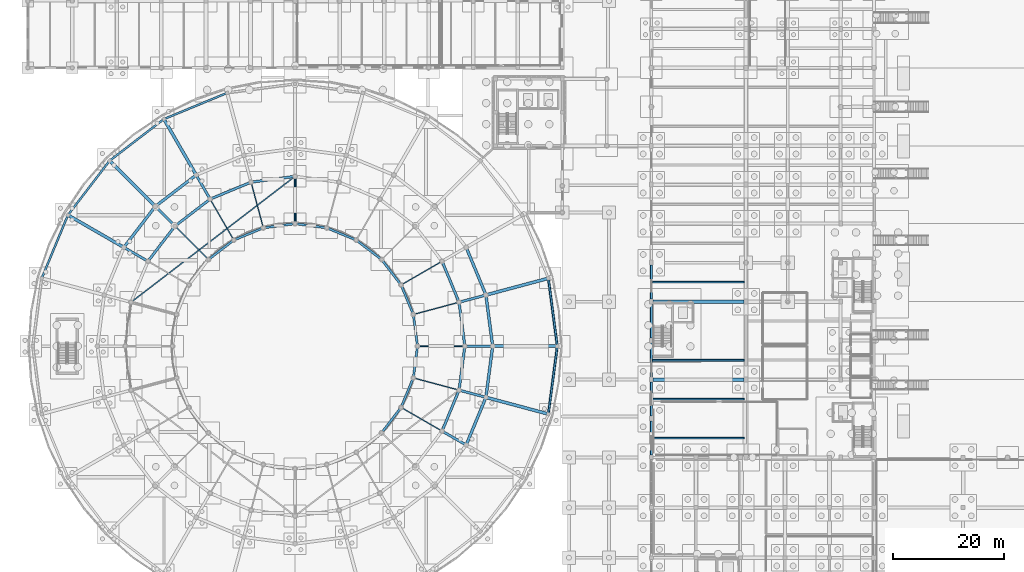
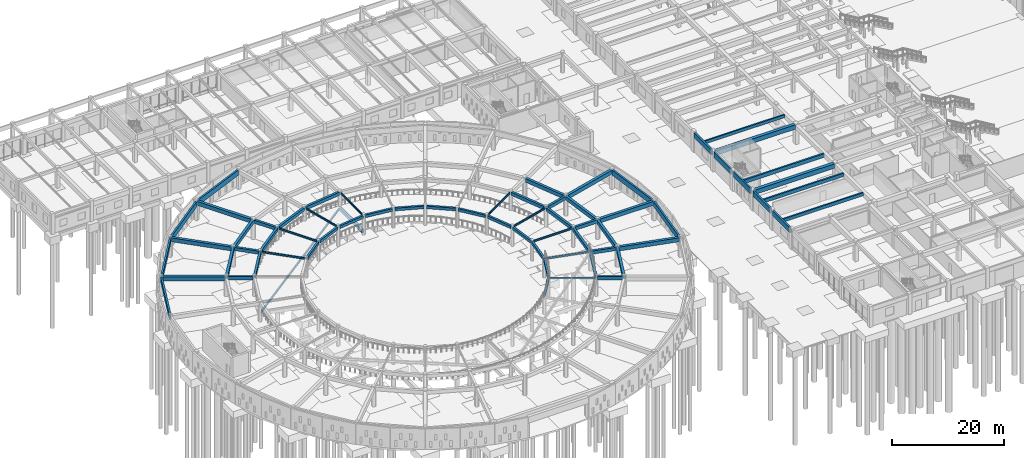
# One storey, part 26 of 84: 67 beams.
"""IFC4 building model written with IfcOpenShell, lengths in metres."""

from ifc_helpers import new_model, si_unit, direction, frame, origin, origin_2d, place, context, subcontext, project, spatial, rectangle, i_section, extrude, material, material_profile, profile_set, type_object, element, save


model = new_model("IFC4")

# Units and contexts
model_context = context("Model", 3, precision=1e-05, world=origin(), true_north=direction((0.0, 1.0)))
body_context = subcontext(model_context, "Body", "Model", "MODEL_VIEW")
ifc_project = project(units=[si_unit("LENGTHUNIT", "METRE"), si_unit("AREAUNIT", "SQUARE_METRE"), si_unit("VOLUMEUNIT", "CUBIC_METRE"), si_unit("PLANEANGLEUNIT", "RADIAN"), si_unit("MASSUNIT", "GRAM", prefix="KILO")], contexts=[model_context])

# Site, building, storey
site_placement = place(None, origin())
site = spatial("IfcSite", under=ifc_project, at=site_placement, CompositionType="ELEMENT")
building_placement = place(site_placement, origin())
building = spatial("IfcBuilding", under=site, at=building_placement, Name="Larkveld Mobility Hub", CompositionType="ELEMENT")
storey_placement = place(building_placement, origin())
storey = spatial("IfcBuildingStorey", under=building, at=storey_placement, Name="L00", CompositionType="ELEMENT", Elevation=0.0)

# Beams
ifc_material_1 = material(Name="Precast concrete C50/60", Category="concrete")
ifc_material_profile_1 = material_profile(ifc_material_1, rectangle(XDim=0.280029296875, YDim=0.64990234375, at=origin_2d()), Name="PC DT 280x650")
ifc_profile_set_1 = profile_set([ifc_material_profile_1], Name="Precast concrete C50/60")
beam_type_1 = type_object("IfcBeamType", Name="BM-DT2865", PredefinedType="T_BEAM", material=ifc_profile_set_1)
beam_1_placement = place(storey_placement, frame((112.169921875, 59.5, 3.945068359375), z_axis=(1.0, 0.0, 0.0), x_axis=(0.0, 1.0, 0.0)))
element("IfcBeam", 1, at=beam_1_placement, inside=storey, type_object=beam_type_1, Name="Precast Double-Tee Stem L00-1023", PredefinedType="T_BEAM", context=body_context, shape_type="SweptSolid", body=[
    extrude(rectangle(XDim=0.280029296875, YDim=0.64990234375, at=origin_2d()), origin(), (0.0, 0.0, 1.0), 16.510009765625),
])
ifc_material_profile_2 = material_profile(ifc_material_1, rectangle(XDim=0.300048828125, YDim=0.699951171875, at=origin_2d()), Name="PC DT 300x700")
ifc_profile_set_2 = profile_set([ifc_material_profile_2], Name="Precast concrete C50/60")
beam_type_2 = type_object("IfcBeamType", Name="BM-DT3070", PredefinedType="T_BEAM", material=ifc_profile_set_2)
beam_2_placement = place(storey_placement, frame((112.169921875, 31.5, 3.919921875), z_axis=(1.0, 0.0, 0.0), x_axis=(0.0, 1.0, 0.0)))
element("IfcBeam", 2, at=beam_2_placement, inside=storey, type_object=beam_type_2, Name="Precast Double-Tee Stem L00-1016", PredefinedType="T_BEAM", context=body_context, shape_type="SweptSolid", body=[
    extrude(rectangle(XDim=0.300048828125, YDim=0.699951171875, at=origin_2d()), origin(), (0.0, 0.0, 1.0), 16.510009765625),
])
ifc_material_profile_3 = material_profile(ifc_material_1, rectangle(XDim=0.320068359375, YDim=0.75, at=origin_2d()), Name="PC DT 320x750")
ifc_profile_set_3 = profile_set([ifc_material_profile_3], Name="Precast concrete C50/60")
beam_type_3 = type_object("IfcBeamType", Name="BM-DT3275", PredefinedType="T_BEAM", material=ifc_profile_set_3)
beam_3_placement = place(storey_placement, frame((112.169921875, 38.5, 3.89501953125), z_axis=(1.0, 0.0, 0.0), x_axis=(0.0, 1.0, 0.0)))
element("IfcBeam", 3, at=beam_3_placement, inside=storey, type_object=beam_type_3, Name="Precast Double-Tee Stem L00-1017", PredefinedType="T_BEAM", context=body_context, shape_type="SweptSolid", body=[
    extrude(rectangle(XDim=0.320068359375, YDim=0.75, at=origin_2d()), origin(), (0.0, 0.0, 1.0), 16.510009765625),
])
ifc_material_profile_4 = material_profile(ifc_material_1, rectangle(XDim=0.340087890625, YDim=0.800048828125, at=origin_2d()), Name="PC DT 340x800")
ifc_profile_set_4 = profile_set([ifc_material_profile_4], Name="Precast concrete C50/60")
beam_type_4 = type_object("IfcBeamType", Name="BM-DT3480", PredefinedType="T_BEAM", material=ifc_profile_set_4)
beam_4_placement = place(storey_placement, frame((112.169921875, 45.5, 3.8701171875), z_axis=(1.0, 0.0, 0.0), x_axis=(0.0, 1.0, 0.0)))
element("IfcBeam", 4, at=beam_4_placement, inside=storey, type_object=beam_type_4, Name="Precast Double-Tee Stem L00-1018", PredefinedType="T_BEAM", context=body_context, shape_type="SweptSolid", body=[
    extrude(rectangle(XDim=0.340087890625, YDim=0.800048828125, at=origin_2d()), origin(), (0.0, 0.0, 1.0), 16.510009765625),
])
ifc_material_profile_5 = material_profile(ifc_material_1, rectangle(XDim=0.64990234375, YDim=0.949951171875, at=origin_2d()), Name="PC ITB 650x950")
ifc_profile_set_5 = profile_set([ifc_material_profile_5], Name="Precast concrete C50/60")
beam_type_5 = type_object("IfcBeamType", Name="BM-ITB6595", PredefinedType="T_BEAM", material=ifc_profile_set_5)
for number, where, z_axis, x_axis, name in (
    (5, (112.324951171875, 42.0, 3.784912109375), (1.0, 0.0, 0.0), (0.0, 1.0, 0.0), "Primary E-W Girder L00-0021"),
    (6, (112.324951171875, 56.0, 3.784912109375), (1.0, 0.0, 0.0), (0.0, 1.0, 0.0), "Primary E-W Girder L00-0025"),
):
    element("IfcBeam", number, at=place(storey_placement, frame(where, z_axis=z_axis, x_axis=x_axis)), inside=storey, type_object=beam_type_5, Name=name, PredefinedType="T_BEAM", context=body_context, shape_type="SweptSolid", body=[
        extrude(rectangle(XDim=0.64990234375, YDim=0.949951171875, at=origin_2d()), origin(), (0.0, 0.0, 1.0), 16.35009765625),
    ])
ifc_material_2 = material(Name="Concrete C40/50", Category="concrete")
ifc_material_profile_6 = material_profile(ifc_material_2, rectangle(XDim=0.39990234375, YDim=0.60009765625, at=origin_2d()), Name="RC BM 400x600")
ifc_profile_set_6 = profile_set([ifc_material_profile_6], Name="Concrete C40/50")
beam_type_6 = type_object("IfcBeamType", Name="BM-RC4060", PredefinedType="BEAM", material=ifc_profile_set_6)
beam_5_placement = place(storey_placement, frame((69.968994140625, 48.238037109375, 3.93505859375), z_axis=(-0.130717291413, 0.991419683951, 0.0), x_axis=(-0.991419683951, -0.130717291413, 0.0)))
element("IfcBeam", 7, at=beam_5_placement, inside=storey, type_object=beam_type_6, Name="Drum Chord Ring Beam L00-1289", PredefinedType="BEAM", context=body_context, shape_type="SweptSolid", body=[
    extrude(rectangle(XDim=0.39990234375, YDim=0.60009765625, at=origin_2d()), origin(), (0.0, 0.0, 1.0), 5.26318359375),
])
beam_6_placement = place(storey_placement, frame((69.157958984375, 53.916015625, 3.93505859375), z_axis=(-0.382522527323, 0.923946165147, 0.0), x_axis=(-0.923946165147, -0.382522527323, 0.0)))
element("IfcBeam", 8, at=beam_6_placement, inside=storey, type_object=beam_type_6, Name="Drum Chord Ring Beam L00-1293", PredefinedType="BEAM", context=body_context, shape_type="SweptSolid", body=[
    extrude(rectangle(XDim=0.39990234375, YDim=0.60009765625, at=origin_2d()), origin(), (0.0, 0.0, 1.0), 5.26220703125),
])
for number, where, z_axis, x_axis, name in (
    (9, (66.906982421875, 59.18994140625, 3.93505859375), (-0.608845256975, 0.793289009793, 0.0), (-0.793289009793, -0.608845256975, 0.0), "Drum Chord Ring Beam L00-1297"),
    (10, (63.365966796875, 63.701904296875, 3.93505859375), (-0.793289009793, 0.608845256975, 0.0), (-0.608845256975, -0.793289009793, 0.0), "Drum Chord Ring Beam L00-1301"),
):
    element("IfcBeam", number, at=place(storey_placement, frame(where, z_axis=z_axis, x_axis=x_axis)), inside=storey, type_object=beam_type_6, Name=name, PredefinedType="BEAM", context=body_context, shape_type="SweptSolid", body=[
        extrude(rectangle(XDim=0.39990234375, YDim=0.60009765625, at=origin_2d()), origin(), (0.0, 0.0, 1.0), 5.26416015625),
    ])
beam_7_placement = place(storey_placement, frame((58.778076171875, 67.14501953125, 3.93505859375), z_axis=(-0.923946165147, 0.382522527323, 0.0), x_axis=(-0.382522527323, -0.923946165147, 0.0)))
element("IfcBeam", 11, at=beam_7_placement, inside=storey, type_object=beam_type_6, Name="Drum Chord Ring Beam L00-1305", PredefinedType="BEAM", context=body_context, shape_type="SweptSolid", body=[
    extrude(rectangle(XDim=0.39990234375, YDim=0.60009765625, at=origin_2d()), origin(), (0.0, 0.0, 1.0), 5.26220703125),
])
for number, where, z_axis, x_axis, name in (
    (12, (53.4560546875, 69.281005859375, 3.93505859375), (-0.991419683951, 0.130717291413, 0.0), (-0.130717291413, -0.991419683951, 0.0), "Drum Chord Ring Beam L00-1309"),
    (13, (47.761962890625, 69.968994140625, 3.93505859375), (-0.991419683951, -0.130717291413, 0.0), (0.130717291413, -0.991419683951, 0.0), "Drum Chord Ring Beam L00-1313"),
):
    element("IfcBeam", number, at=place(storey_placement, frame(where, z_axis=z_axis, x_axis=x_axis)), inside=storey, type_object=beam_type_6, Name=name, PredefinedType="BEAM", context=body_context, shape_type="SweptSolid", body=[
        extrude(rectangle(XDim=0.39990234375, YDim=0.60009765625, at=origin_2d()), origin(), (0.0, 0.0, 1.0), 5.26318359375),
    ])
beam_8_placement = place(storey_placement, frame((42.083984375, 69.157958984375, 3.93505859375), z_axis=(-0.923946165147, -0.382522527323, 0.0), x_axis=(0.382522527323, -0.923946165147, 0.0)))
element("IfcBeam", 14, at=beam_8_placement, inside=storey, type_object=beam_type_6, Name="Drum Chord Ring Beam L00-1317", PredefinedType="BEAM", context=body_context, shape_type="SweptSolid", body=[
    extrude(rectangle(XDim=0.39990234375, YDim=0.60009765625, at=origin_2d()), origin(), (0.0, 0.0, 1.0), 5.26220703125),
])
for number, where, z_axis, x_axis, name in (
    (15, (36.81005859375, 66.906982421875, 3.93505859375), (-0.793289009793, -0.608845256975, 0.0), (0.608845256975, -0.793289009793, 0.0), "Drum Chord Ring Beam L00-1321"),
    (16, (63.701904296875, 32.634033203125, 3.93505859375), (0.608845256975, 0.793289009793, 0.0), (-0.793289009793, 0.608845256975, 0.0), "Drum Chord Ring Beam L00-1372"),
):
    element("IfcBeam", number, at=place(storey_placement, frame(where, z_axis=z_axis, x_axis=x_axis)), inside=storey, type_object=beam_type_6, Name=name, PredefinedType="BEAM", context=body_context, shape_type="SweptSolid", body=[
        extrude(rectangle(XDim=0.39990234375, YDim=0.60009765625, at=origin_2d()), origin(), (0.0, 0.0, 1.0), 5.26416015625),
    ])
beam_9_placement = place(storey_placement, frame((67.14501953125, 37.221923828125, 3.93505859375), z_axis=(0.382522527323, 0.923946165147, 0.0), x_axis=(-0.923946165147, 0.382522527323, 0.0)))
element("IfcBeam", 17, at=beam_9_placement, inside=storey, type_object=beam_type_6, Name="Drum Chord Ring Beam L00-1376", PredefinedType="BEAM", context=body_context, shape_type="SweptSolid", body=[
    extrude(rectangle(XDim=0.39990234375, YDim=0.60009765625, at=origin_2d()), origin(), (0.0, 0.0, 1.0), 5.26220703125),
])
beam_10_placement = place(storey_placement, frame((69.281005859375, 42.5439453125, 3.93505859375), z_axis=(0.130717291413, 0.991419683951, 0.0), x_axis=(-0.991419683951, 0.130717291413, 0.0)))
element("IfcBeam", 18, at=beam_10_placement, inside=storey, type_object=beam_type_6, Name="Drum Chord Ring Beam L00-1380", PredefinedType="BEAM", context=body_context, shape_type="SweptSolid", body=[
    extrude(rectangle(XDim=0.39990234375, YDim=0.60009765625, at=origin_2d()), origin(), (0.0, 0.0, 1.0), 5.26318359375),
])
ifc_material_profile_7 = material_profile(ifc_material_2, rectangle(XDim=0.449951171875, YDim=0.699951171875, at=origin_2d()), Name="RC BM 450x700")
ifc_profile_set_7 = profile_set([ifc_material_profile_7], Name="Concrete C40/50")
beam_type_7 = type_object("IfcBeamType", Name="BM-RC4570", PredefinedType="BEAM", material=ifc_profile_set_7)
beam_11_placement = place(storey_placement, frame((78.739990234375, 48.0, 3.885009765625), z_axis=(1.0, 0.0, 0.0), x_axis=(0.0, 1.0, 0.0)))
element("IfcBeam", 19, at=beam_11_placement, inside=storey, type_object=beam_type_7, Name="Drum Radial Girder L00-1220", PredefinedType="BEAM", context=body_context, shape_type="SweptSolid", body=[
    extrude(rectangle(XDim=0.449951171875, YDim=0.699951171875, at=origin_2d()), origin(), (0.0, 0.0, 1.0), 4.52001953125),
])
beam_12_placement = place(storey_placement, frame((77.693115234375, 55.9560546875, 3.885009765625), z_axis=(0.96590777444, 0.258886406125, 0.0), x_axis=(-0.258886406125, 0.96590777444, 0.0)))
element("IfcBeam", 20, at=beam_12_placement, inside=storey, type_object=beam_type_7, Name="Drum Radial Girder L00-1223", PredefinedType="BEAM", context=body_context, shape_type="SweptSolid", body=[
    extrude(rectangle(XDim=0.449951171875, YDim=0.699951171875, at=origin_2d()), origin(), (0.0, 0.0, 1.0), 4.51904296875),
])
beam_13_placement = place(storey_placement, frame((32.6298828125, 74.6220703125, 3.885009765625), z_axis=(-0.50002017008, 0.86601375827, 0.0), x_axis=(-0.86601375827, -0.50002017008, 0.0)))
element("IfcBeam", 21, at=beam_13_placement, inside=storey, type_object=beam_type_7, Name="Drum Radial Girder L00-1244", PredefinedType="BEAM", context=body_context, shape_type="SweptSolid", body=[
    extrude(rectangle(XDim=0.449951171875, YDim=0.699951171875, at=origin_2d()), origin(), (0.0, 0.0, 1.0), 4.519287109375),
])
beam_14_placement = place(storey_placement, frame((26.262939453125, 69.737060546875, 3.885009765625), z_axis=(-0.707106781187, 0.707106781187, 0.0), x_axis=(-0.707106781187, -0.707106781187, 0.0)))
element("IfcBeam", 22, at=beam_14_placement, inside=storey, type_object=beam_type_7, Name="Drum Radial Girder L00-1247", PredefinedType="BEAM", context=body_context, shape_type="SweptSolid", body=[
    extrude(rectangle(XDim=0.449951171875, YDim=0.699951171875, at=origin_2d()), origin(), (0.0, 0.0, 1.0), 4.51806640625),
])
for number, where, z_axis, x_axis, name in (
    (23, (21.3779296875, 63.3701171875, 3.885009765625), (-0.86601375827, 0.50002017008, 0.0), (-0.50002017008, -0.86601375827, 0.0), "Drum Radial Girder L00-1250"),
    (24, (74.6220703125, 32.6298828125, 3.885009765625), (0.86601375827, -0.50002017008, 0.0), (0.50002017008, 0.86601375827, 0.0), "Drum Radial Girder L00-1284"),
):
    element("IfcBeam", number, at=place(storey_placement, frame(where, z_axis=z_axis, x_axis=x_axis)), inside=storey, type_object=beam_type_7, Name=name, PredefinedType="BEAM", context=body_context, shape_type="SweptSolid", body=[
        extrude(rectangle(XDim=0.449951171875, YDim=0.699951171875, at=origin_2d()), origin(), (0.0, 0.0, 1.0), 4.519287109375),
    ])
beam_15_placement = place(storey_placement, frame((77.693115234375, 40.0439453125, 3.885009765625), z_axis=(0.96590777444, -0.258886406125, 0.0), x_axis=(0.258886406125, 0.96590777444, 0.0)))
element("IfcBeam", 25, at=beam_15_placement, inside=storey, type_object=beam_type_7, Name="Drum Radial Girder L00-1287", PredefinedType="BEAM", context=body_context, shape_type="SweptSolid", body=[
    extrude(rectangle(XDim=0.449951171875, YDim=0.699951171875, at=origin_2d()), origin(), (0.0, 0.0, 1.0), 4.51904296875),
])
beam_16_placement = place(storey_placement, frame((78.468994140625, 48.238037109375, 3.885009765625), z_axis=(-0.1305861874, 0.991436961012, 0.0), x_axis=(-0.991436961012, -0.1305861874, 0.0)))
element("IfcBeam", 26, at=beam_16_placement, inside=storey, type_object=beam_type_7, Name="Drum Chord Ring Beam L00-1290", PredefinedType="BEAM", context=body_context, shape_type="SweptSolid", body=[
    extrude(rectangle(XDim=0.449951171875, YDim=0.699951171875, at=origin_2d()), origin(), (0.0, 0.0, 1.0), 7.48193359375),
])
beam_17_placement = place(storey_placement, frame((77.368896484375, 56.115966796875, 3.885009765625), z_axis=(-0.382649607255, 0.923893542605, 0.0), x_axis=(-0.923893542605, -0.382649607255, 0.0)))
element("IfcBeam", 27, at=beam_17_placement, inside=storey, type_object=beam_type_7, Name="Drum Chord Ring Beam L00-1294", PredefinedType="BEAM", context=body_context, shape_type="SweptSolid", body=[
    extrude(rectangle(XDim=0.449951171875, YDim=0.699951171875, at=origin_2d()), origin(), (0.0, 0.0, 1.0), 7.4814453125),
])
beam_18_placement = place(storey_placement, frame((47.761962890625, 78.468994140625, 3.885009765625), z_axis=(-0.991436961012, -0.1305861874, 0.0), x_axis=(0.1305861874, -0.991436961012, 0.0)))
element("IfcBeam", 28, at=beam_18_placement, inside=storey, type_object=beam_type_7, Name="Drum Chord Ring Beam L00-1314", PredefinedType="BEAM", context=body_context, shape_type="SweptSolid", body=[
    extrude(rectangle(XDim=0.449951171875, YDim=0.699951171875, at=origin_2d()), origin(), (0.0, 0.0, 1.0), 7.48193359375),
])
beam_19_placement = place(storey_placement, frame((39.884033203125, 77.368896484375, 3.885009765625), z_axis=(-0.923893542605, -0.382649607255, 0.0), x_axis=(0.382649607255, -0.923893542605, 0.0)))
element("IfcBeam", 29, at=beam_19_placement, inside=storey, type_object=beam_type_7, Name="Drum Chord Ring Beam L00-1318", PredefinedType="BEAM", context=body_context, shape_type="SweptSolid", body=[
    extrude(rectangle(XDim=0.449951171875, YDim=0.699951171875, at=origin_2d()), origin(), (0.0, 0.0, 1.0), 7.4814453125),
])
for number, where, z_axis, x_axis, name in (
    (30, (32.56005859375, 74.26806640625, 3.885009765625), (-0.793382610721, -0.608723281143, 0.0), (0.608723281143, -0.793382610721, 0.0), "Drum Chord Ring Beam L00-1322"),
    (31, (26.287109375, 69.376953125, 3.885009765625), (-0.608723281143, -0.793382610721, 0.0), (0.793382610721, -0.608723281143, 0.0), "Drum Chord Ring Beam L00-1326"),
):
    element("IfcBeam", number, at=place(storey_placement, frame(where, z_axis=z_axis, x_axis=x_axis)), inside=storey, type_object=beam_type_7, Name=name, PredefinedType="BEAM", context=body_context, shape_type="SweptSolid", body=[
        extrude(rectangle(XDim=0.449951171875, YDim=0.699951171875, at=origin_2d()), origin(), (0.0, 0.0, 1.0), 7.483154296875),
    ])
beam_20_placement = place(storey_placement, frame((74.506103515625, 32.971923828125, 3.885009765625), z_axis=(0.382649607255, 0.923893542605, 0.0), x_axis=(-0.923893542605, 0.382649607255, 0.0)))
element("IfcBeam", 32, at=beam_20_placement, inside=storey, type_object=beam_type_7, Name="Drum Chord Ring Beam L00-1377", PredefinedType="BEAM", context=body_context, shape_type="SweptSolid", body=[
    extrude(rectangle(XDim=0.449951171875, YDim=0.699951171875, at=origin_2d()), origin(), (0.0, 0.0, 1.0), 7.4814453125),
])
beam_21_placement = place(storey_placement, frame((77.491943359375, 40.343994140625, 3.885009765625), z_axis=(0.1305861874, 0.991436961012, 0.0), x_axis=(-0.991436961012, 0.1305861874, 0.0)))
element("IfcBeam", 33, at=beam_21_placement, inside=storey, type_object=beam_type_7, Name="Drum Chord Ring Beam L00-1381", PredefinedType="BEAM", context=body_context, shape_type="SweptSolid", body=[
    extrude(rectangle(XDim=0.449951171875, YDim=0.699951171875, at=origin_2d()), origin(), (0.0, 0.0, 1.0), 7.48193359375),
])
beam_22_placement = place(storey_placement, frame((48.0, 70.280029296875, 0.530029296875), z_axis=(0.0, 1.0, 0.0), x_axis=(-1.0, 0.0, 0.0)))
element("IfcBeam", 34, at=beam_22_placement, inside=storey, type_object=beam_type_7, Name="Helical Ramp Radial Support Girder L00-1750", PredefinedType="BEAM", context=body_context, shape_type="SweptSolid", body=[
    extrude(rectangle(XDim=0.449951171875, YDim=0.699951171875, at=origin_2d()), origin(), (0.0, 0.0, 1.0), 7.93994140625),
])
ifc_material_profile_8 = material_profile(ifc_material_2, rectangle(XDim=0.5, YDim=0.800048828125, at=origin_2d()), Name="RC BM 500x800")
ifc_profile_set_8 = profile_set([ifc_material_profile_8], Name="Concrete C40/50")
beam_type_8 = type_object("IfcBeamType", Name="BM-RC5080", PredefinedType="BEAM", material=ifc_profile_set_8)
beam_23_placement = place(storey_placement, frame((83.468994140625, 48.238037109375, 3.8349609375), z_axis=(-0.130638498674, 0.991430069478, 0.0), x_axis=(-0.991430069478, -0.130638498674, 0.0)))
element("IfcBeam", 35, at=beam_23_placement, inside=storey, type_object=beam_type_8, Name="Drum Chord Ring Beam L00-1291", PredefinedType="BEAM", context=body_context, shape_type="SweptSolid", body=[
    extrude(rectangle(XDim=0.5, YDim=0.800048828125, at=origin_2d()), origin(), (0.0, 0.0, 1.0), 8.787109375),
])
beam_24_placement = place(storey_placement, frame((82.197998046875, 57.409912109375, 3.8349609375), z_axis=(-0.382625816799, 0.923903395556, 0.0), x_axis=(-0.923903395556, -0.382625816799, 0.0)))
element("IfcBeam", 36, at=beam_24_placement, inside=storey, type_object=beam_type_8, Name="Drum Chord Ring Beam L00-1295", PredefinedType="BEAM", context=body_context, shape_type="SweptSolid", body=[
    extrude(rectangle(XDim=0.5, YDim=0.800048828125, at=origin_2d()), origin(), (0.0, 0.0, 1.0), 8.786865234375),
])
for number, where, z_axis, x_axis, name in (
    (37, (30.06005859375, 78.597900390625, 3.8349609375), (-0.793357689021, -0.608755761591, 0.0), (0.608755761591, -0.793357689021, 0.0), "Drum Chord Ring Beam L00-1323"),
    (38, (22.751953125, 72.912109375, 3.8349609375), (-0.608755761591, -0.793357689021, 0.0), (0.793357689021, -0.608755761591, 0.0), "Drum Chord Ring Beam L00-1327"),
):
    element("IfcBeam", number, at=place(storey_placement, frame(where, z_axis=z_axis, x_axis=x_axis)), inside=storey, type_object=beam_type_8, Name=name, PredefinedType="BEAM", context=body_context, shape_type="SweptSolid", body=[
        extrude(rectangle(XDim=0.5, YDim=0.800048828125, at=origin_2d()), origin(), (0.0, 0.0, 1.0), 8.7880859375),
    ])
beam_25_placement = place(storey_placement, frame((78.8359375, 30.471923828125, 3.8349609375), z_axis=(0.382625816799, 0.923903395556, 0.0), x_axis=(-0.923903395556, 0.382625816799, 0.0)))
element("IfcBeam", 39, at=beam_25_placement, inside=storey, type_object=beam_type_8, Name="Drum Chord Ring Beam L00-1378", PredefinedType="BEAM", context=body_context, shape_type="SweptSolid", body=[
    extrude(rectangle(XDim=0.5, YDim=0.800048828125, at=origin_2d()), origin(), (0.0, 0.0, 1.0), 8.786865234375),
])
beam_26_placement = place(storey_placement, frame((82.321044921875, 39.050048828125, 3.8349609375), z_axis=(0.130638498674, 0.991430069478, 0.0), x_axis=(-0.991430069478, 0.130638498674, 0.0)))
element("IfcBeam", 40, at=beam_26_placement, inside=storey, type_object=beam_type_8, Name="Drum Chord Ring Beam L00-1382", PredefinedType="BEAM", context=body_context, shape_type="SweptSolid", body=[
    extrude(rectangle(XDim=0.5, YDim=0.800048828125, at=origin_2d()), origin(), (0.0, 0.0, 1.0), 8.787109375),
])
ifc_material_profile_9 = material_profile(ifc_material_2, rectangle(XDim=0.550048828125, YDim=0.85009765625, at=origin_2d()), Name="RC BM 550x850")
ifc_profile_set_9 = profile_set([ifc_material_profile_9], Name="Concrete C40/50")
beam_type_9 = type_object("IfcBeamType", Name="BM-RC5585", PredefinedType="BEAM", material=ifc_profile_set_9)
beam_27_placement = place(storey_placement, frame((83.739990234375, 48.0, 3.81005859375), z_axis=(1.0, 0.0, 0.0), x_axis=(0.0, 1.0, 0.0)))
element("IfcBeam", 41, at=beam_27_placement, inside=storey, type_object=beam_type_9, Name="Drum Radial Girder L00-1221", PredefinedType="BEAM", context=body_context, shape_type="SweptSolid", body=[
    extrude(rectangle(XDim=0.550048828125, YDim=0.85009765625, at=origin_2d()), origin(), (0.0, 0.0, 1.0), 11.1201171875),
])
for number, where, z_axis, x_axis, name in (
    (42, (82.52197265625, 57.25, 3.81005859375), (0.965928157481, 0.258810344821, 0.0), (-0.258810344821, 0.965928157481, 0.0), "Drum Radial Girder L00-1224"),
    (43, (30.1298828125, 78.951904296875, 3.81005859375), (-0.499990426839, 0.866030930781, 0.0), (-0.866030930781, -0.499990426839, 0.0), "Drum Radial Girder L00-1245"),
):
    element("IfcBeam", number, at=place(storey_placement, frame(where, z_axis=z_axis, x_axis=x_axis)), inside=storey, type_object=beam_type_9, Name=name, PredefinedType="BEAM", context=body_context, shape_type="SweptSolid", body=[
        extrude(rectangle(XDim=0.550048828125, YDim=0.85009765625, at=origin_2d()), origin(), (0.0, 0.0, 1.0), 11.119873046875),
    ])
beam_28_placement = place(storey_placement, frame((22.72802734375, 73.27197265625, 3.81005859375), z_axis=(-0.707106781187, 0.707106781187, 0.0), x_axis=(-0.707106781187, -0.707106781187, 0.0)))
element("IfcBeam", 44, at=beam_28_placement, inside=storey, type_object=beam_type_9, Name="Drum Radial Girder L00-1248", PredefinedType="BEAM", context=body_context, shape_type="SweptSolid", body=[
    extrude(rectangle(XDim=0.550048828125, YDim=0.85009765625, at=origin_2d()), origin(), (0.0, 0.0, 1.0), 11.1201171875),
])
for number, where, z_axis, x_axis, name in (
    (45, (17.048095703125, 65.8701171875, 3.81005859375), (-0.866030930781, 0.499990426839, 0.0), (-0.499990426839, -0.866030930781, 0.0), "Drum Radial Girder L00-1251"),
    (46, (82.52197265625, 38.75, 3.81005859375), (0.965928157481, -0.258810344821, 0.0), (0.258810344821, 0.965928157481, 0.0), "Drum Radial Girder L00-1288"),
):
    element("IfcBeam", number, at=place(storey_placement, frame(where, z_axis=z_axis, x_axis=x_axis)), inside=storey, type_object=beam_type_9, Name=name, PredefinedType="BEAM", context=body_context, shape_type="SweptSolid", body=[
        extrude(rectangle(XDim=0.550048828125, YDim=0.85009765625, at=origin_2d()), origin(), (0.0, 0.0, 1.0), 11.119873046875),
    ])
ifc_material_profile_10 = material_profile(ifc_material_1, rectangle(XDim=0.35009765625, YDim=1.14990234375, at=origin_2d()), Name="PC SP 350x1150")
ifc_profile_set_10 = profile_set([ifc_material_profile_10], Name="Precast concrete C50/60")
beam_type_10 = type_object("IfcBeamType", Name="BM-SP35115", PredefinedType="SPANDREL", material=ifc_profile_set_10)
for number, where, z_axis, x_axis, name in (
    (47, (112.0, 28.449951171875, 3.68505859375), (0.0, 1.0, 0.0), (-1.0, 0.0, 0.0), "Primary N-S Girder L00-0161"),
    (48, (112.0, 35.449951171875, 3.68505859375), (0.0, 1.0, 0.0), (-1.0, 0.0, 0.0), "Primary N-S Girder L00-0162"),
    (49, (112.0, 42.449951171875, 3.68505859375), (0.0, 1.0, 0.0), (-1.0, 0.0, 0.0), "Primary N-S Girder L00-0163"),
    (50, (112.0, 49.449951171875, 3.68505859375), (0.0, 1.0, 0.0), (-1.0, 0.0, 0.0), "Primary N-S Girder L00-0164"),
    (51, (112.0, 56.449951171875, 3.68505859375), (0.0, 1.0, 0.0), (-1.0, 0.0, 0.0), "Primary N-S Girder L00-0165"),
):
    element("IfcBeam", number, at=place(storey_placement, frame(where, z_axis=z_axis, x_axis=x_axis)), inside=storey, type_object=beam_type_10, Name=name, PredefinedType="SPANDREL", context=body_context, shape_type="SweptSolid", body=[
        extrude(rectangle(XDim=0.35009765625, YDim=1.14990234375, at=origin_2d()), origin(), (0.0, 0.0, 1.0), 6.10009765625),
    ])
beam_29_placement = place(storey_placement, frame((95.069091796875, 48.238037109375, 3.659912109375), z_axis=(-0.130613798255, 0.991433323883, 0.0), x_axis=(-0.991433323883, -0.130613798255, 0.0)))
element("IfcBeam", 52, at=beam_29_placement, inside=storey, type_object=beam_type_10, Name="Drum Chord Ring Beam L00-1292", PredefinedType="SPANDREL", context=body_context, shape_type="SweptSolid", body=[
    extrude(rectangle(XDim=0.35009765625, YDim=1.14990234375, at=origin_2d()), origin(), (0.0, 0.0, 1.0), 11.815185546875),
])
beam_30_placement = place(storey_placement, frame((35.587890625, 93.403076171875, 3.659912109375), z_axis=(-0.923893431655, -0.38264987514, 0.0), x_axis=(0.38264987514, -0.923893431655, 0.0)))
element("IfcBeam", 53, at=beam_30_placement, inside=storey, type_object=beam_type_10, Name="Drum Chord Ring Beam L00-1320", PredefinedType="SPANDREL", context=body_context, shape_type="SweptSolid", body=[
    extrude(rectangle(XDim=0.35009765625, YDim=1.14990234375, at=origin_2d()), origin(), (0.0, 0.0, 1.0), 11.81494140625),
])
for number, where, z_axis, x_axis, name in (
    (54, (24.260009765625, 88.64404296875, 3.659912109375), (-0.79337685225, -0.608730786402, 0.0), (0.608730786402, -0.79337685225, 0.0), "Drum Chord Ring Beam L00-1324"),
    (55, (14.549072265625, 81.114990234375, 3.659912109375), (-0.608730786402, -0.79337685225, 0.0), (0.79337685225, -0.608730786402, 0.0), "Drum Chord Ring Beam L00-1328"),
):
    element("IfcBeam", number, at=place(storey_placement, frame(where, z_axis=z_axis, x_axis=x_axis)), inside=storey, type_object=beam_type_10, Name=name, PredefinedType="SPANDREL", context=body_context, shape_type="SweptSolid", body=[
        extrude(rectangle(XDim=0.35009765625, YDim=1.14990234375, at=origin_2d()), origin(), (0.0, 0.0, 1.0), 11.816650390625),
    ])
beam_31_placement = place(storey_placement, frame((7.117919921875, 71.327880859375, 3.659912109375), z_axis=(-0.38264987514, -0.923893431655, 0.0), x_axis=(0.923893431655, -0.38264987514, 0.0)))
element("IfcBeam", 56, at=beam_31_placement, inside=storey, type_object=beam_type_10, Name="Drum Chord Ring Beam L00-1332", PredefinedType="SPANDREL", context=body_context, shape_type="SweptSolid", body=[
    extrude(rectangle(XDim=0.35009765625, YDim=1.14990234375, at=origin_2d()), origin(), (0.0, 0.0, 1.0), 11.81494140625),
])
beam_32_placement = place(storey_placement, frame((93.52587890625, 36.048095703125, 3.659912109375), z_axis=(0.130613798255, 0.991433323883, 0.0), x_axis=(-0.991433323883, 0.130613798255, 0.0)))
element("IfcBeam", 57, at=beam_32_placement, inside=storey, type_object=beam_type_10, Name="Drum Chord Ring Beam L00-1383", PredefinedType="SPANDREL", context=body_context, shape_type="SweptSolid", body=[
    extrude(rectangle(XDim=0.35009765625, YDim=1.14990234375, at=origin_2d()), origin(), (0.0, 0.0, 1.0), 11.815185546875),
])
ifc_material_3 = material(Name="Steel S355JR", Category="steel")
ifc_material_profile_11 = material_profile(ifc_material_3, i_section(OverallWidth=0.179931640625, OverallDepth=0.39990234375, WebThickness=0.008544921875, FlangeThickness=0.013427734375, FilletRadius=0.02099609375, at=origin_2d()), Name="IPE 400")
ifc_profile_set_11 = profile_set([ifc_material_profile_11], Name="Steel S355JR")
beam_type_11 = type_object("IfcBeamType", Name="BM-STIPE400", PredefinedType="BEAM", material=ifc_profile_set_11)
beam_33_placement = place(storey_placement, frame((70.239990234375, 48.0, 4.034912109375), z_axis=(1.0, 0.0, 0.0), x_axis=(0.0, 1.0, 0.0)))
element("IfcBeam", 58, at=beam_33_placement, inside=storey, type_object=beam_type_11, Name="Drum Radial Girder L00-1219", PredefinedType="BEAM", context=body_context, shape_type="SweptSolid", body=[
    extrude(i_section(OverallWidth=0.179931640625, OverallDepth=0.39990234375, WebThickness=0.008544921875, FlangeThickness=0.013427734375, FilletRadius=0.02099609375, at=origin_2d()), origin(), (0.0, 0.0, 1.0), 8.02001953125),
])
beam_34_placement = place(storey_placement, frame((69.48193359375, 53.756103515625, 4.034912109375), z_axis=(0.96592250653, 0.258831434294, 0.0), x_axis=(-0.258831434294, 0.96592250653, 0.0)))
element("IfcBeam", 59, at=beam_34_placement, inside=storey, type_object=beam_type_11, Name="Drum Radial Girder L00-1222", PredefinedType="BEAM", context=body_context, shape_type="SweptSolid", body=[
    extrude(i_section(OverallWidth=0.179931640625, OverallDepth=0.39990234375, WebThickness=0.008544921875, FlangeThickness=0.013427734375, FilletRadius=0.02099609375, at=origin_2d()), origin(), (0.0, 0.0, 1.0), 8.020263671875),
])
beam_35_placement = place(storey_placement, frame((67.260986328125, 59.1201171875, 4.034912109375), z_axis=(0.86602386286, 0.50000266895, 0.0), x_axis=(-0.50000266895, 0.86602386286, 0.0)))
element("IfcBeam", 60, at=beam_35_placement, inside=storey, type_object=beam_type_11, Name="Drum Radial Girder L00-1225", PredefinedType="BEAM", context=body_context, shape_type="SweptSolid", body=[
    extrude(i_section(OverallWidth=0.179931640625, OverallDepth=0.39990234375, WebThickness=0.008544921875, FlangeThickness=0.013427734375, FilletRadius=0.02099609375, at=origin_2d()), origin(), (0.0, 0.0, 1.0), 8.01953125),
])
beam_36_placement = place(storey_placement, frame((48.0, 70.239990234375, 4.034912109375), z_axis=(0.0, 1.0, 0.0), x_axis=(-1.0, 0.0, 0.0)))
element("IfcBeam", 61, at=beam_36_placement, inside=storey, type_object=beam_type_11, Name="Drum Radial Girder L00-1237", PredefinedType="BEAM", context=body_context, shape_type="SweptSolid", body=[
    extrude(i_section(OverallWidth=0.179931640625, OverallDepth=0.39990234375, WebThickness=0.008544921875, FlangeThickness=0.013427734375, FilletRadius=0.02099609375, at=origin_2d()), origin(), (0.0, 0.0, 1.0), 8.02001953125),
])
beam_37_placement = place(storey_placement, frame((42.243896484375, 69.48193359375, 4.034912109375), z_axis=(-0.258831434294, 0.96592250653, 0.0), x_axis=(-0.96592250653, -0.258831434294, 0.0)))
element("IfcBeam", 62, at=beam_37_placement, inside=storey, type_object=beam_type_11, Name="Drum Radial Girder L00-1240", PredefinedType="BEAM", context=body_context, shape_type="SweptSolid", body=[
    extrude(i_section(OverallWidth=0.179931640625, OverallDepth=0.39990234375, WebThickness=0.008544921875, FlangeThickness=0.013427734375, FilletRadius=0.02099609375, at=origin_2d()), origin(), (0.0, 0.0, 1.0), 8.020263671875),
])
beam_38_placement = place(storey_placement, frame((36.8798828125, 67.260986328125, 4.034912109375), z_axis=(-0.50000266895, 0.86602386286, 0.0), x_axis=(-0.86602386286, -0.50000266895, 0.0)))
element("IfcBeam", 63, at=beam_38_placement, inside=storey, type_object=beam_type_11, Name="Drum Radial Girder L00-1243", PredefinedType="BEAM", context=body_context, shape_type="SweptSolid", body=[
    extrude(i_section(OverallWidth=0.179931640625, OverallDepth=0.39990234375, WebThickness=0.008544921875, FlangeThickness=0.013427734375, FilletRadius=0.02099609375, at=origin_2d()), origin(), (0.0, 0.0, 1.0), 8.01953125),
])
beam_39_placement = place(storey_placement, frame((32.27392578125, 63.72607421875, 4.034912109375), z_axis=(-0.707106781187, 0.707106781187, 0.0), x_axis=(-0.707106781187, -0.707106781187, 0.0)))
element("IfcBeam", 64, at=beam_39_placement, inside=storey, type_object=beam_type_11, Name="Drum Radial Girder L00-1246", PredefinedType="BEAM", context=body_context, shape_type="SweptSolid", body=[
    extrude(i_section(OverallWidth=0.179931640625, OverallDepth=0.39990234375, WebThickness=0.008544921875, FlangeThickness=0.013427734375, FilletRadius=0.02099609375, at=origin_2d()), origin(), (0.0, 0.0, 1.0), 8.019775390625),
])
beam_40_placement = place(storey_placement, frame((67.260986328125, 36.8798828125, 3.81005859375), z_axis=(0.86602386286, -0.50000266895, 0.0), x_axis=(0.50000266895, 0.86602386286, 0.0)))
element("IfcBeam", 65, at=beam_40_placement, inside=storey, type_object=beam_type_11, Name="Drum Radial Girder L00-1283", PredefinedType="BEAM", context=body_context, shape_type="SweptSolid", body=[
    extrude(i_section(OverallWidth=0.179931640625, OverallDepth=0.39990234375, WebThickness=0.008544921875, FlangeThickness=0.013427734375, FilletRadius=0.02099609375, at=origin_2d()), origin(), (0.0, 0.0, 1.0), 8.01953125),
])
beam_41_placement = place(storey_placement, frame((69.48193359375, 42.243896484375, 4.034912109375), z_axis=(0.96592250653, -0.258831434294, 0.0), x_axis=(0.258831434294, 0.96592250653, 0.0)))
element("IfcBeam", 66, at=beam_41_placement, inside=storey, type_object=beam_type_11, Name="Drum Radial Girder L00-1286", PredefinedType="BEAM", context=body_context, shape_type="SweptSolid", body=[
    extrude(i_section(OverallWidth=0.179931640625, OverallDepth=0.39990234375, WebThickness=0.008544921875, FlangeThickness=0.013427734375, FilletRadius=0.02099609375, at=origin_2d()), origin(), (0.0, 0.0, 1.0), 8.020263671875),
])
ifc_material_profile_12 = material_profile(ifc_material_3, i_section(OverallWidth=0.199951171875, OverallDepth=0.5, WebThickness=0.01025390625, FlangeThickness=0.01611328125, FilletRadius=0.02099609375, at=origin_2d()), Name="IPE 500")
ifc_profile_set_12 = profile_set([ifc_material_profile_12], Name="Steel S355JR")
beam_type_12 = type_object("IfcBeamType", Name="BM-STIPE500", PredefinedType="BEAM", material=ifc_profile_set_12)
beam_42_placement = place(storey_placement, frame((47.778076171875, 78.330078125, 0.580078125), z_axis=(-0.792971497257, -0.608482562579, 0.030743707905), x_axis=(0.608770328015, -0.793346511764, 0.0)))
element("IfcBeam", 67, at=beam_42_placement, inside=storey, type_object=beam_type_12, Name="Helical Ramp Stringer Beam L00-1754", PredefinedType="BEAM", context=body_context, shape_type="SweptSolid", body=[
    extrude(i_section(OverallWidth=0.199951171875, OverallDepth=0.5, WebThickness=0.01025390625, FlangeThickness=0.01611328125, FilletRadius=0.02099609375, at=origin_2d()), origin(), (0.0, 0.0, 1.0), 36.5927734375),
])

save(model, "model.ifc")
